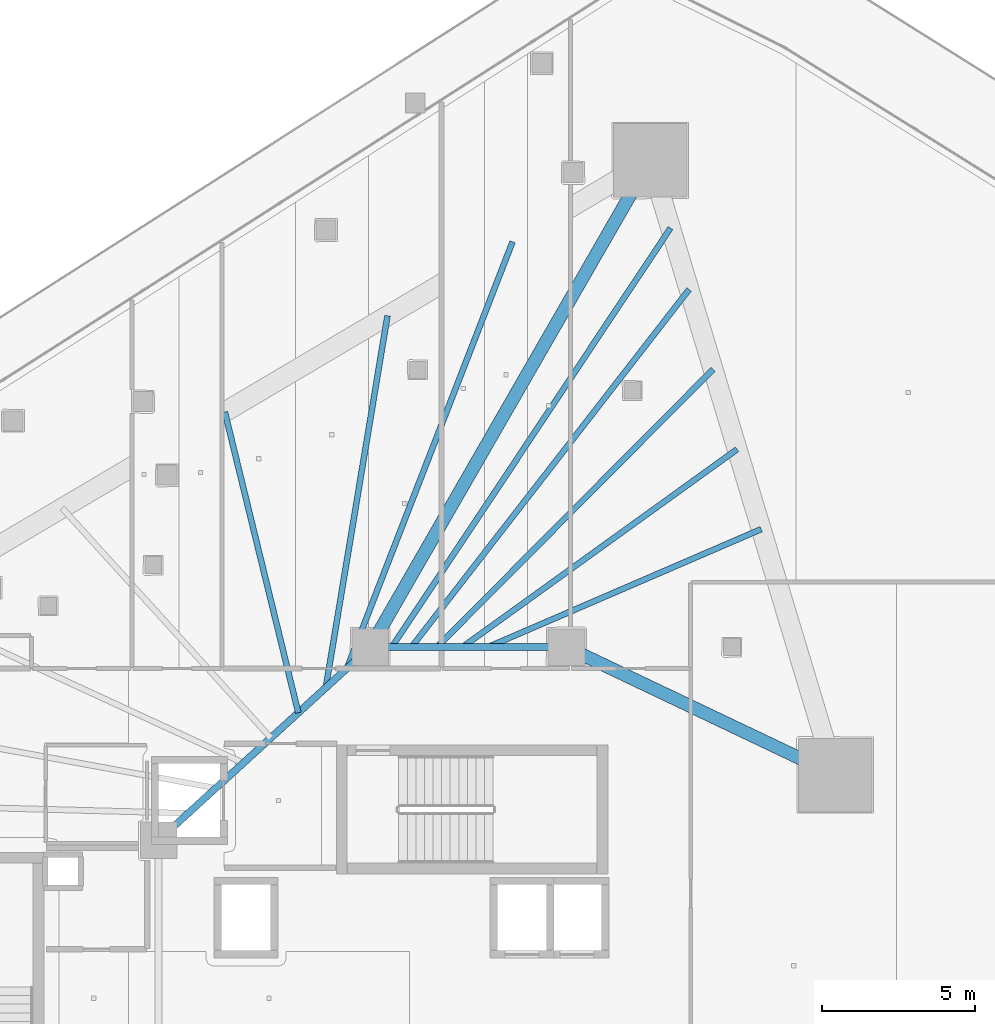
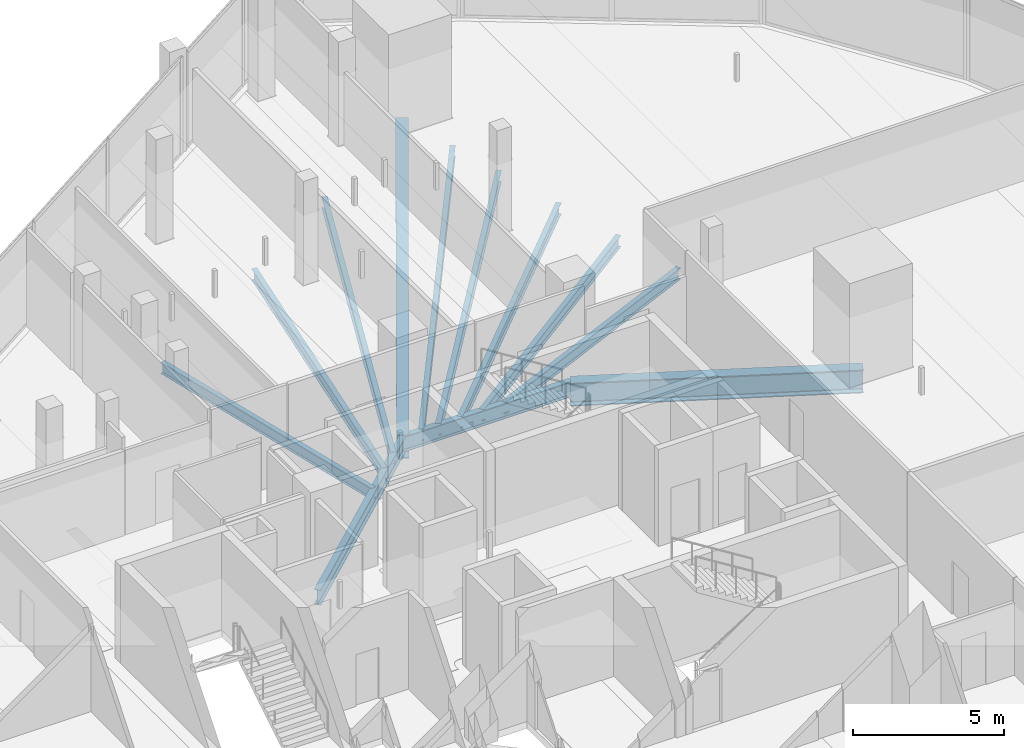
# One storey, part 18 of 44: 12 beams.
"""IFC4 building model written with IfcOpenShell, lengths in metres."""

import ifcopenshell
import ifcopenshell.guid

model = None  # the IFC model being written
_history = None  # IfcOwnerHistory: only IFC2X3 demands one
_inside = {}  # id of a spatial element -> (the spatial element, [elements in it])
_under = {}  # id of a project, library or spatial element -> (it, [spatial elements below it])
_declared = {}  # id of a project -> (the project, [libraries it declares])
_typed = {}  # id of a type object -> (the type object, [elements of that type])
_made_of = {}  # id of a material, layer set ... -> (it, [elements and type objects made of it])


def new_model(schema):
    """Start an empty IFC model of exactly this schema.

    Asked for "IFC4X3", IfcOpenShell would pick the latest addendum, in which some entities
    have other attributes; the version numbers below select the first issue.
    IFC2X3 requires an IfcOwnerHistory on every rooted entity: one is made here for all.
    """
    global model, _history
    if schema == "IFC4X3":
        model = ifcopenshell.file(schema_version=(4, 3, 0, 0))
    else:
        model = ifcopenshell.file(schema=schema)
    _inside.clear()
    _under.clear()
    _declared.clear()
    _typed.clear()
    _made_of.clear()
    _history = None
    if model.schema == "IFC2X3":
        org = make("IfcOrganization", Name="unknown")
        user = make(
            "IfcPersonAndOrganization",
            ThePerson=make("IfcPerson", FamilyName="unknown"),
            TheOrganization=org,
        )
        app = make(
            "IfcApplication",
            ApplicationDeveloper=org,
            Version="unknown",
            ApplicationFullName="unknown",
            ApplicationIdentifier="unknown",
        )
        _history = make(
            "IfcOwnerHistory",
            OwningUser=user,
            OwningApplication=app,
            ChangeAction="ADDED",
            CreationDate=0,
        )
    return model


def make(cls, **values):
    """One entity of the class cls with the attributes given. An attribute that is None is left unset."""
    return model.create_entity(
        cls, **{name: value for name, value in values.items() if value is not None}
    )


def rooted(cls, **values):
    """An entity with a GlobalId (a new one), such as an element, a storey or a relation."""
    return make(cls, GlobalId=ifcopenshell.guid.new(), OwnerHistory=_history, **values)


def si_unit(unit_type, name, prefix=None):
    """IfcSIUnit, for example si_unit("LENGTHUNIT", "METRE", prefix="MILLI")."""
    return make("IfcSIUnit", UnitType=unit_type, Prefix=prefix, Name=name)


def assignment(units):
    """IfcUnitAssignment: the units of a project."""
    return None if units is None else make("IfcUnitAssignment", Units=units)


def point(xyz):
    """IfcCartesianPoint."""
    return None if xyz is None else make("IfcCartesianPoint", Coordinates=xyz)


def direction(xyz):
    """IfcDirection."""
    return None if xyz is None else make("IfcDirection", DirectionRatios=xyz)


def frame(location, z_axis=None, x_axis=None):
    """IfcAxis2Placement3D, a coordinate frame: its origin and axes. An axis left out is left unset."""
    return make(
        "IfcAxis2Placement3D",
        Location=point(location),
        Axis=direction(z_axis),
        RefDirection=direction(x_axis),
    )


def frame_2d(location, x_axis=None):
    """IfcAxis2Placement2D, a coordinate frame in the plane: its origin and x axis."""
    return make(
        "IfcAxis2Placement2D", Location=point(location), RefDirection=direction(x_axis)
    )


def origin():
    """The frame at (0, 0, 0) with its axes left unset."""
    return frame((0.0, 0.0, 0.0))


def origin_2d():
    """The frame at (0, 0) in the plane with its x axis left unset."""
    return frame_2d((0.0, 0.0))


def place(relative_to, where):
    """IfcLocalPlacement: puts the frame where relative to a parent placement (None: the world)."""
    return make(
        "IfcLocalPlacement", PlacementRelTo=relative_to, RelativePlacement=where
    )


def context(
    kind, dimensions, precision=None, world=None, true_north=None, identifier=None
):
    """IfcGeometricRepresentationContext, for example the 3D "Model" context."""
    return make(
        "IfcGeometricRepresentationContext",
        ContextIdentifier=identifier,
        ContextType=kind,
        CoordinateSpaceDimension=dimensions,
        Precision=precision,
        WorldCoordinateSystem=world,
        TrueNorth=true_north,
    )


def subcontext(parent, identifier, kind, view, scale=None):
    """IfcGeometricRepresentationSubContext, for example "Body" below "Model"."""
    return make(
        "IfcGeometricRepresentationSubContext",
        ContextIdentifier=identifier,
        ContextType=kind,
        ParentContext=parent,
        TargetScale=scale,
        TargetView=view,
    )


def project(units=None, contexts=None):
    """IfcProject with its units and contexts."""
    return rooted(
        "IfcProject",
        Name="project",
        RepresentationContexts=contexts,
        UnitsInContext=assignment(units),
    )


def spatial(cls, under=None, at=None, **own):
    """A site, building, storey or space (cls), placed at a placement, below another one or the project."""
    s = rooted(cls, ObjectPlacement=at, **own)
    if under is not None:
        _under.setdefault(under.id(), (under, []))[1].append(s)
    return s


def profile(cls, at=None, kind="AREA", **sizes):
    """A parametric profile (cls). Its sizes go by their IFC names, for example OverallWidth=200.0."""
    return make(cls, ProfileType=kind, Position=at, **sizes)


def i_section(**sizes):
    """IfcIShapeProfileDef."""
    return profile("IfcIShapeProfileDef", **sizes)


def extrude(swept, where, along, depth):
    """IfcExtrudedAreaSolid: the profile swept, set in the frame where, extruded along a direction by depth."""
    return make(
        "IfcExtrudedAreaSolid",
        SweptArea=swept,
        Position=where,
        ExtrudedDirection=direction(along),
        Depth=depth,
    )


def shape(context_of_items, identifier, shape_type, items):
    """IfcShapeRepresentation: the items that make up one representation, for example the "Body"."""
    return make(
        "IfcShapeRepresentation",
        ContextOfItems=context_of_items,
        RepresentationIdentifier=identifier,
        RepresentationType=shape_type,
        Items=items,
    )


def material(Name=None, Category=None):
    """IfcMaterial."""
    return make("IfcMaterial", Name=Name, Category=Category)


def material_profile(
    of_material, cross_section, Name=None, Category=None, Priority=None
):
    """IfcMaterialProfile: a cross section and its material."""
    return make(
        "IfcMaterialProfile",
        Name=Name,
        Material=of_material,
        Profile=cross_section,
        Priority=Priority,
        Category=Category,
    )


def profile_set(profiles, Name=None, composite=None):
    """IfcMaterialProfileSet."""
    return make(
        "IfcMaterialProfileSet",
        Name=Name,
        MaterialProfiles=profiles,
        CompositeProfile=composite,
    )


def made_of(thing, what):
    """Note that an element or type object is made of a material, layer set ...; save() writes the relation."""
    if what is not None:
        _made_of.setdefault(what.id(), (what, []))[1].append(thing)
    return thing


def type_object(cls, material=None, **own):
    """A type object (cls), such as IfcWallType, which elements share."""
    return made_of(rooted(cls, **own), material)


def element(
    cls,
    number,
    at=None,
    inside=None,
    cuts=None,
    type_object=None,
    material=None,
    context=None,
    identifier="Body",
    shape_type=None,
    held_by="IfcProductDefinitionShape",
    body=None,
    shapes=None,
    **own,
):
    """One element of the class cls, such as IfcWall. Its Tag is "e" and its number.

    at: its placement. inside: the storey or other place that contains it. cuts: it is an
    opening in that element (IfcRelVoidsElement). A single representation is given by context,
    identifier, shape_type and body (its items); several are given by shapes. held_by: the class
    of the entity that holds the representations. save() writes the other relations.
    """
    e = rooted(cls, Tag="e%d" % number, ObjectPlacement=at, **own)
    if body is not None:
        shapes = [shape(context, identifier, shape_type, body)]
    if shapes is not None:
        e.Representation = make(held_by, Representations=shapes)
    if inside is not None:
        _inside.setdefault(inside.id(), (inside, []))[1].append(e)
    if cuts is not None:
        rooted(
            "IfcRelVoidsElement", RelatingBuildingElement=cuts, RelatedOpeningElement=e
        )
    if type_object is not None:
        _typed.setdefault(type_object.id(), (type_object, []))[1].append(e)
    return made_of(e, material)


def aggregate(whole, parts):
    """IfcRelAggregates: a whole, such as a stair, and the parts it consists of."""
    return rooted("IfcRelAggregates", RelatingObject=whole, RelatedObjects=parts)


def save(model, path):
    """Write the relations noted so far, then the file.

    IfcRelAggregates (storeys below a building ...), IfcRelContainedInSpatialStructure (elements
    in a storey), IfcRelDefinesByType, IfcRelAssociatesMaterial and IfcRelDeclares: one each for
    every whole, place, type object, material and project.
    """
    for whole, parts in _under.values():
        aggregate(whole, parts)
    for where, things in _inside.values():
        rooted(
            "IfcRelContainedInSpatialStructure",
            RelatedElements=things,
            RelatingStructure=where,
        )
    for kind, things in _typed.values():
        rooted("IfcRelDefinesByType", RelatedObjects=things, RelatingType=kind)
    for what, things in _made_of.values():
        rooted("IfcRelAssociatesMaterial", RelatedObjects=things, RelatingMaterial=what)
    for by, libraries in _declared.values():
        rooted("IfcRelDeclares", RelatingContext=by, RelatedDefinitions=libraries)
    model.write(path)


model = new_model("IFC4")

# Units and contexts
model_context = context("Model", 3, precision=1e-05, world=origin(), true_north=direction((0.0, 1.0)))
body_context = subcontext(model_context, "Body", "Model", "MODEL_VIEW")
ifc_project = project(units=[si_unit("LENGTHUNIT", "METRE"), si_unit("AREAUNIT", "SQUARE_METRE"), si_unit("VOLUMEUNIT", "CUBIC_METRE"), si_unit("PLANEANGLEUNIT", "RADIAN"), si_unit("MASSUNIT", "GRAM", prefix="KILO")], contexts=[model_context])

# Site, building, storey
site_placement = place(None, origin())
site = spatial("IfcSite", under=ifc_project, at=site_placement, CompositionType="ELEMENT")
building_placement = place(site_placement, origin())
building = spatial("IfcBuilding", under=site, at=building_placement, Name="Qorvath Tower", CompositionType="ELEMENT")
storey_placement = place(building_placement, frame((0.0, 0.0, 53.39990234375)))
storey = spatial("IfcBuildingStorey", under=building, at=storey_placement, Name="L11", CompositionType="ELEMENT", Elevation=53.39990234375)

# Beams
ifc_material_1 = material(Name="Steel ASTM A992 Grade 50", Category="steel")
ifc_material_profile_1 = material_profile(ifc_material_1, i_section(OverallWidth=0.422119140625, OverallDepth=0.93310546875, WebThickness=0.021240234375, FlangeThickness=0.039794921875, FilletRadius=0.02392578125, at=origin_2d()), Name="W36x262")
ifc_profile_set_1 = profile_set([ifc_material_profile_1], Name="Steel ASTM A992 Grade 50")
beam_type_1 = type_object("IfcBeamType", Name="BM-FG1", PredefinedType="BEAM", material=ifc_profile_set_1)
beam_1_placement = place(storey_placement, frame((-23.60009765625, 11.449951171875, -0.746337890625), z_axis=(0.498645367714, 0.866806089767, 0.0), x_axis=(-0.866806089767, 0.498645367714, 0.0)))
element("IfcBeam", 1, at=beam_1_placement, inside=storey, type_object=beam_type_1, Name="Radial Floor Girder CC1-MC6 L11", PredefinedType="BEAM", context=body_context, shape_type="SweptSolid", body=[
    extrude(i_section(OverallWidth=0.422119140625, OverallDepth=0.93310546875, WebThickness=0.021240234375, FlangeThickness=0.039794921875, FilletRadius=0.02392578125, at=origin_2d()), origin(), (0.0, 0.0, 1.0), 18.321044921875),
])
beam_2_placement = place(storey_placement, frame((-17.199951171875, 11.449951171875, -0.746337890625), z_axis=(0.902955751435, -0.429733534821, 0.0), x_axis=(0.429733534821, 0.902955751435, 0.0)))
element("IfcBeam", 2, at=beam_2_placement, inside=storey, type_object=beam_type_1, Name="Radial Floor Girder CC2-MC5 L11", PredefinedType="BEAM", context=body_context, shape_type="SweptSolid", body=[
    extrude(i_section(OverallWidth=0.422119140625, OverallDepth=0.93310546875, WebThickness=0.021240234375, FlangeThickness=0.039794921875, FilletRadius=0.02392578125, at=origin_2d()), origin(), (0.0, 0.0, 1.0), 9.7119140625),
])
ifc_material_2 = material(Name="Steel ASTM A992 Grade 50", Category="steel")
ifc_material_profile_2 = material_profile(ifc_material_2, i_section(OverallWidth=0.22998046875, OverallDepth=0.616943359375, WebThickness=0.01318359375, FlangeThickness=0.022216796875, FilletRadius=0.014892578125, at=origin_2d()), Name="W24x94")
ifc_profile_set_2 = profile_set([ifc_material_profile_2], Name="Steel ASTM A992 Grade 50")
beam_type_2 = type_object("IfcBeamType", Name="BM-FG6", PredefinedType="BEAM", material=ifc_profile_set_2)
beam_3_placement = place(storey_placement, frame((-23.60009765625, 11.449951171875, -0.58837890625), z_axis=(1.0, 0.0, 0.0), x_axis=(0.0, 1.0, 0.0)))
element("IfcBeam", 3, at=beam_3_placement, inside=storey, type_object=beam_type_2, Name="Core Ring Girder CC1-CC2 L11", PredefinedType="BEAM", context=body_context, shape_type="SweptSolid", body=[
    extrude(i_section(OverallWidth=0.22998046875, OverallDepth=0.616943359375, WebThickness=0.01318359375, FlangeThickness=0.022216796875, FilletRadius=0.014892578125, at=origin_2d()), origin(), (0.0, 0.0, 1.0), 6.400146484375),
])
beam_4_placement = place(storey_placement, frame((-30.5, 5.14990234375, -0.58837890625), z_axis=(0.73847813985, 0.6742774184, 0.0), x_axis=(-0.6742774184, 0.73847813985, 0.0)))
element("IfcBeam", 4, at=beam_4_placement, inside=storey, type_object=beam_type_2, Name="Core Ring Girder CC5-CC1 L11", PredefinedType="BEAM", context=body_context, shape_type="SweptSolid", body=[
    extrude(i_section(OverallWidth=0.22998046875, OverallDepth=0.616943359375, WebThickness=0.01318359375, FlangeThickness=0.022216796875, FilletRadius=0.014892578125, at=origin_2d()), origin(), (0.0, 0.0, 1.0), 9.343505859375),
])
ifc_material_3 = material(Name="Steel ASTM A992 Grade 50", Category="steel")
ifc_material_profile_3 = material_profile(ifc_material_3, i_section(OverallWidth=0.18994140625, OverallDepth=0.45703125, WebThickness=0.009033203125, FlangeThickness=0.014404296875, FilletRadius=0.011962890625, at=origin_2d()), Name="W18x50")
ifc_profile_set_3 = profile_set([ifc_material_profile_3], Name="Steel ASTM A992 Grade 50")
beam_type_3 = type_object("IfcBeamType", Name="BM-FJ2", PredefinedType="JOIST", material=ifc_profile_set_3)
beam_5_placement = place(storey_placement, frame((-19.760009765625, 11.449951171875, -0.50830078125), z_axis=(0.918135537923, 0.396266493667, 0.0), x_axis=(-0.396266493667, 0.918135537923, 0.0)))
element("IfcBeam", 5, at=beam_5_placement, inside=storey, type_object=beam_type_3, Name="Composite Floor Joist NE3 L11", PredefinedType="JOIST", context=body_context, shape_type="SweptSolid", body=[
    extrude(i_section(OverallWidth=0.18994140625, OverallDepth=0.45703125, WebThickness=0.009033203125, FlangeThickness=0.014404296875, FilletRadius=0.011962890625, at=origin_2d()), origin(), (0.0, 0.0, 1.0), 9.7109375),
])
beam_6_placement = place(storey_placement, frame((-20.592041015625, 11.449951171875, -0.50830078125), z_axis=(0.811469358397, 0.584394969505, 0.0), x_axis=(-0.584394969505, 0.811469358397, 0.0)))
element("IfcBeam", 6, at=beam_6_placement, inside=storey, type_object=beam_type_3, Name="Composite Floor Joist NE4 L11", PredefinedType="JOIST", context=body_context, shape_type="SweptSolid", body=[
    extrude(i_section(OverallWidth=0.18994140625, OverallDepth=0.45703125, WebThickness=0.009033203125, FlangeThickness=0.014404296875, FilletRadius=0.011962890625, at=origin_2d()), origin(), (0.0, 0.0, 1.0), 11.046142578125),
])
beam_7_placement = place(storey_placement, frame((-21.424072265625, 11.449951171875, -0.50830078125), z_axis=(0.705107654599, 0.709100271771, 0.0), x_axis=(-0.709100271771, 0.705107654599, 0.0)))
element("IfcBeam", 7, at=beam_7_placement, inside=storey, type_object=beam_type_3, Name="Composite Floor Joist NE5 L11", PredefinedType="JOIST", context=body_context, shape_type="SweptSolid", body=[
    extrude(i_section(OverallWidth=0.18994140625, OverallDepth=0.45703125, WebThickness=0.009033203125, FlangeThickness=0.014404296875, FilletRadius=0.011962890625, at=origin_2d()), origin(), (0.0, 0.0, 1.0), 12.780029296875),
])
beam_8_placement = place(storey_placement, frame((-22.256103515625, 11.449951171875, -0.50830078125), z_axis=(0.613206963859, 0.789922286984, 0.0), x_axis=(-0.789922286984, 0.613206963859, 0.0)))
element("IfcBeam", 8, at=beam_8_placement, inside=storey, type_object=beam_type_3, Name="Composite Floor Joist NE6 L11", PredefinedType="JOIST", context=body_context, shape_type="SweptSolid", body=[
    extrude(i_section(OverallWidth=0.18994140625, OverallDepth=0.45703125, WebThickness=0.009033203125, FlangeThickness=0.014404296875, FilletRadius=0.011962890625, at=origin_2d()), origin(), (0.0, 0.0, 1.0), 14.77294921875),
])
beam_9_placement = place(storey_placement, frame((-22.89599609375, 11.449951171875, -0.50830078125), z_axis=(0.553811384989, 0.83264214994, 0.0), x_axis=(-0.83264214994, 0.553811384989, 0.0)))
element("IfcBeam", 9, at=beam_9_placement, inside=storey, type_object=beam_type_3, Name="Composite Floor Joist NE7 L11", PredefinedType="JOIST", context=body_context, shape_type="SweptSolid", body=[
    extrude(i_section(OverallWidth=0.18994140625, OverallDepth=0.45703125, WebThickness=0.009033203125, FlangeThickness=0.014404296875, FilletRadius=0.011962890625, at=origin_2d()), origin(), (0.0, 0.0, 1.0), 16.42333984375),
])
beam_10_placement = place(storey_placement, frame((-25.946044921875, 9.30810546875, -0.50830078125), z_axis=(-0.237165308581, 0.97146930801, 0.0), x_axis=(-0.97146930801, -0.237165308581, 0.0)))
element("IfcBeam", 10, at=beam_10_placement, inside=storey, type_object=beam_type_3, Name="Composite Floor Joist NW5 L11", PredefinedType="JOIST", context=body_context, shape_type="SweptSolid", body=[
    extrude(i_section(OverallWidth=0.18994140625, OverallDepth=0.45703125, WebThickness=0.009033203125, FlangeThickness=0.014404296875, FilletRadius=0.011962890625, at=origin_2d()), origin(), (0.0, 0.0, 1.0), 10.104736328125),
])
beam_11_placement = place(storey_placement, frame((-25.049072265625, 10.126953125, -0.50830078125), z_axis=(0.163639384475, 0.98652022374, 0.0), x_axis=(-0.98652022374, 0.163639384475, 0.0)))
element("IfcBeam", 11, at=beam_11_placement, inside=storey, type_object=beam_type_3, Name="Composite Floor Joist NW6 L11", PredefinedType="JOIST", context=body_context, shape_type="SweptSolid", body=[
    extrude(i_section(OverallWidth=0.18994140625, OverallDepth=0.45703125, WebThickness=0.009033203125, FlangeThickness=0.014404296875, FilletRadius=0.011962890625, at=origin_2d()), origin(), (0.0, 0.0, 1.0), 12.301025390625),
])
beam_12_placement = place(storey_placement, frame((-24.35888671875, 10.757080078125, -0.50830078125), z_axis=(0.361964096586, 0.93219203643, 0.0), x_axis=(-0.93219203643, 0.361964096586, 0.0)))
element("IfcBeam", 12, at=beam_12_placement, inside=storey, type_object=beam_type_3, Name="Composite Floor Joist NW7 L11", PredefinedType="JOIST", context=body_context, shape_type="SweptSolid", body=[
    extrude(i_section(OverallWidth=0.18994140625, OverallDepth=0.45703125, WebThickness=0.009033203125, FlangeThickness=0.014404296875, FilletRadius=0.011962890625, at=origin_2d()), origin(), (0.0, 0.0, 1.0), 14.93115234375),
])

save(model, "model.ifc")
